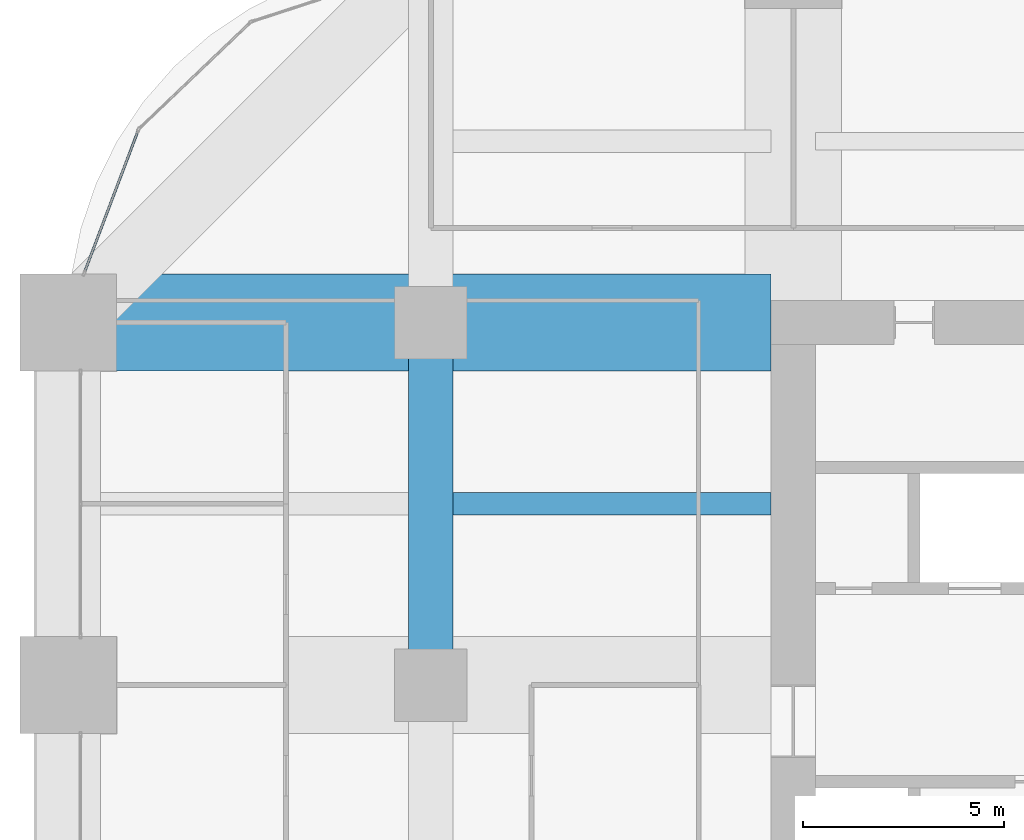
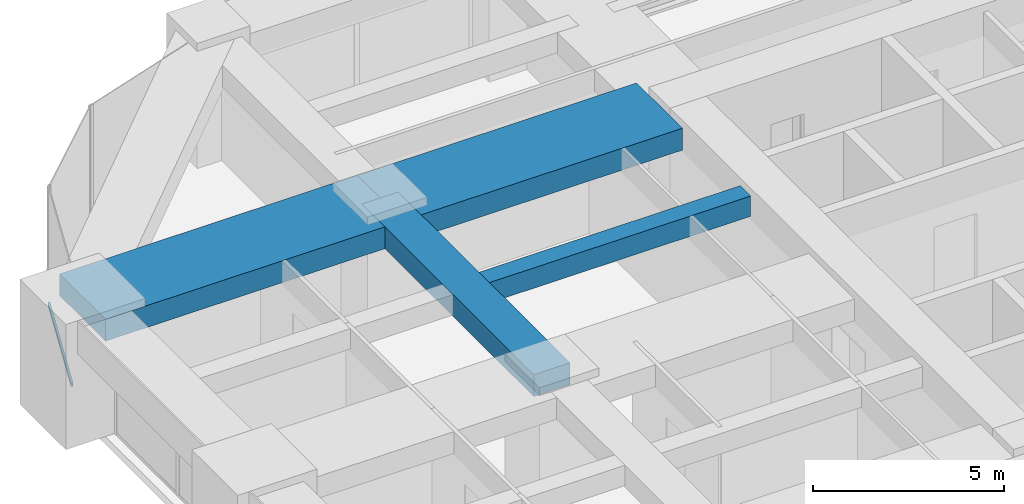
# One storey, part 25 of 43: 4 beams, 1 member, 1 element without a shape of its own.
"""IFC4 building model written with IfcOpenShell, lengths in metres."""

from ifc_helpers import new_model, si_unit, direction, frame, origin, origin_2d, place, context, subcontext, project, spatial, rectangle, hollow_rectangle, extrude, material, material_profile, profile_set, type_object, element, aggregate, save


model = new_model("IFC4")

# Units and contexts
model_context = context("Model", 3, precision=1e-05, world=origin(), true_north=direction((0.0, 1.0)))
body_context = subcontext(model_context, "Body", "Model", "MODEL_VIEW")
ifc_project = project(units=[si_unit("LENGTHUNIT", "METRE"), si_unit("AREAUNIT", "SQUARE_METRE"), si_unit("VOLUMEUNIT", "CUBIC_METRE"), si_unit("PLANEANGLEUNIT", "RADIAN"), si_unit("MASSUNIT", "GRAM", prefix="KILO")], contexts=[model_context])

# Site, building, storey
site_placement = place(None, origin())
site = spatial("IfcSite", under=ifc_project, at=site_placement, CompositionType="ELEMENT")
building_placement = place(site_placement, origin())
building = spatial("IfcBuilding", under=site, at=building_placement, Name="Zorevar Civic Tower", CompositionType="ELEMENT")
storey_placement = place(building_placement, frame((0.0, 0.0, 145.0)))
storey = spatial("IfcBuildingStorey", under=building, at=storey_placement, Name="L35", CompositionType="ELEMENT", Elevation=145.0)

# Beams
ifc_material_1 = material(Name="Concrete C50/60", Category="concrete")
ifc_material_profile_1 = material_profile(ifc_material_1, rectangle(XDim=1.10009765625, YDim=0.699951171875, at=origin_2d()), Name="RC 1100x700")
ifc_profile_set_1 = profile_set([ifc_material_profile_1], Name="Concrete C50/60")
beam_type_1 = type_object("IfcBeamType", Name="Beam RC 1100x700", PredefinedType="BEAM", material=ifc_profile_set_1)
beam_1_placement = place(storey_placement, frame((9.0, 27.0, 3.39990234375), z_axis=(0.0, 1.0, 0.0), x_axis=(-1.0, 0.0, 0.0)))
element("IfcBeam", 1, at=beam_1_placement, inside=storey, type_object=beam_type_1, Name="Girder L36", PredefinedType="BEAM", context=body_context, shape_type="SweptSolid", body=[
    extrude(rectangle(XDim=1.10009765625, YDim=0.699951171875, at=origin_2d()), origin(), (0.0, 0.0, 1.0), 9.0),
])
ifc_material_2 = material(Name="Concrete C50/60", Category="concrete")
ifc_material_profile_2 = material_profile(ifc_material_2, rectangle(XDim=2.39990234375, YDim=0.699951171875, at=origin_2d()), Name="RC 2400x700")
ifc_profile_set_2 = profile_set([ifc_material_profile_2], Name="Concrete C50/60")
beam_type_2 = type_object("IfcBeamType", Name="Beam RC 2400x700", PredefinedType="BEAM", material=ifc_profile_set_2)
beam_2_placement = place(storey_placement, frame((0.0, 36.0, 3.39990234375), z_axis=(1.0, 0.0, 0.0), x_axis=(0.0, 1.0, 0.0)))
element("IfcBeam", 2, at=beam_2_placement, inside=storey, type_object=beam_type_2, Name="Girder L36", PredefinedType="BEAM", context=body_context, shape_type="SweptSolid", body=[
    extrude(rectangle(XDim=2.39990234375, YDim=0.699951171875, at=origin_2d()), origin(), (0.0, 0.0, 1.0), 9.0),
])
beam_3_placement = place(storey_placement, frame((9.0, 36.0, 3.39990234375), z_axis=(1.0, 0.0, 0.0), x_axis=(0.0, 1.0, 0.0)))
element("IfcBeam", 3, at=beam_3_placement, inside=storey, type_object=beam_type_2, Name="Girder L36", PredefinedType="BEAM", context=body_context, shape_type="SweptSolid", body=[
    extrude(rectangle(XDim=2.39990234375, YDim=0.699951171875, at=origin_2d()), origin(), (0.0, 0.0, 1.0), 8.449951171875),
])
ifc_material_3 = material(Name="Concrete C50/60", Category="concrete")
ifc_material_profile_3 = material_profile(ifc_material_3, rectangle(XDim=0.550048828125, YDim=0.64990234375, at=origin_2d()), Name="RC 550x650")
ifc_profile_set_3 = profile_set([ifc_material_profile_3], Name="Concrete C50/60")
beam_type_3 = type_object("IfcBeamType", Name="Beam RC 550x650", PredefinedType="BEAM", material=ifc_profile_set_3)
beam_4_placement = place(storey_placement, frame((9.550048828125, 31.5, 3.425048828125), z_axis=(1.0, 0.0, 0.0), x_axis=(0.0, 1.0, 0.0)))
element("IfcBeam", 4, at=beam_4_placement, inside=storey, type_object=beam_type_3, Name="Secondary beam L36", PredefinedType="BEAM", context=body_context, shape_type="SweptSolid", body=[
    extrude(rectangle(XDim=0.550048828125, YDim=0.64990234375, at=origin_2d()), origin(), (0.0, 0.0, 1.0), 7.89990234375),
])

# Curtain wall, member
ifc_material_4 = material(Name="Dark grey solar-control glass in black aluminium frame", Category="aluminium")
curtain_wall_type = type_object("IfcCurtainWallType", Name="Curtain wall CW3 mid zone", PredefinedType="NOTDEFINED", material=ifc_material_4)
curtain_wall_placement = place(storey_placement, origin())
curtain_wall = element("IfcCurtainWall", 5, at=curtain_wall_placement, inside=storey, type_object=curtain_wall_type, Name="CW3 L35", PredefinedType="NOTDEFINED")
ifc_material_5 = material(Name="Aluminium, black anodised", Category="aluminium")
ifc_material_profile_4 = material_profile(ifc_material_5, hollow_rectangle(XDim=0.06005859375, YDim=0.1201171875, WallThickness=0.0029296875, at=origin_2d()), Name="AL 120x60x3")
ifc_profile_set_4 = profile_set([ifc_material_profile_4], Name="Aluminium, black anodised")
member_type = type_object("IfcMemberType", Name="CW3 transom AL 120x60x3", PredefinedType="USERDEFINED", material=ifc_profile_set_4)
member_placement = place(storey_placement, frame((1.726318359375, 40.7490234375, 0.030029296875), z_axis=(-0.353923007857, -0.93527456103, 0.0), x_axis=(0.93527456103, -0.353923007857, 0.0)))
member = element("IfcMember", 6, at=member_placement, type_object=member_type, Name="CW3 sill transom", ObjectType="TRANSOM", PredefinedType="USERDEFINED", context=body_context, shape_type="SweptSolid", body=[
    extrude(hollow_rectangle(XDim=0.06005859375, YDim=0.1201171875, WallThickness=0.0029296875, at=origin_2d()), origin(), (0.0, 0.0, 1.0), 3.734619140625),
])
aggregate(curtain_wall, [member])

save(model, "model.ifc")
